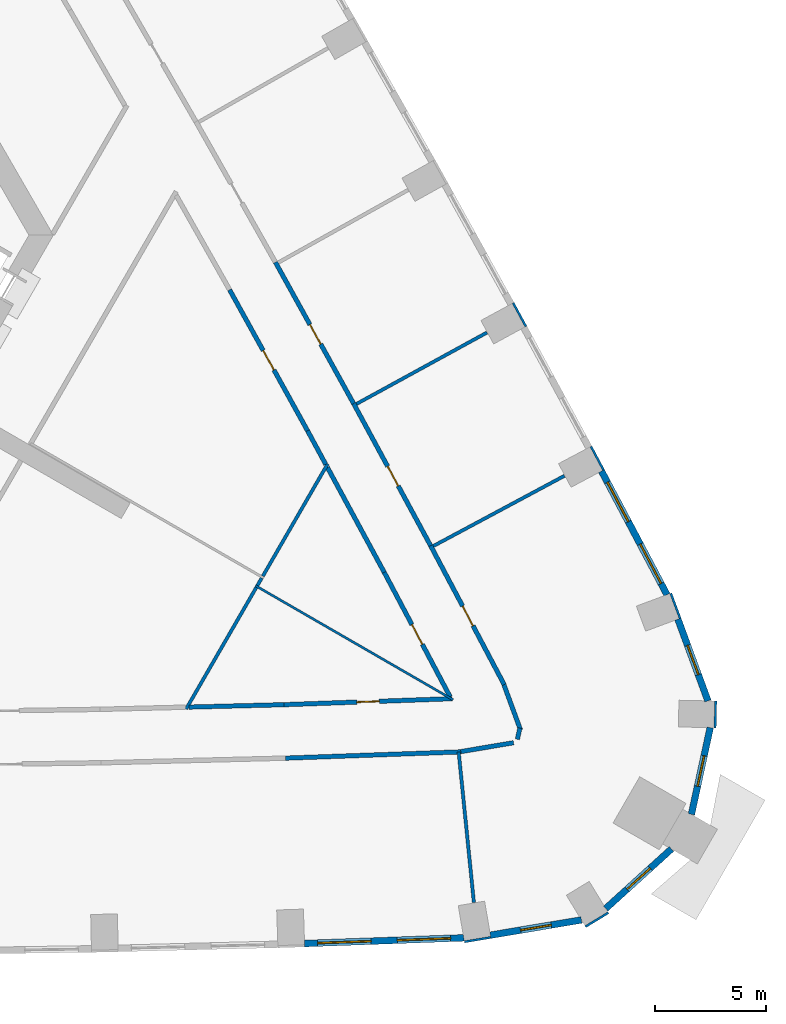
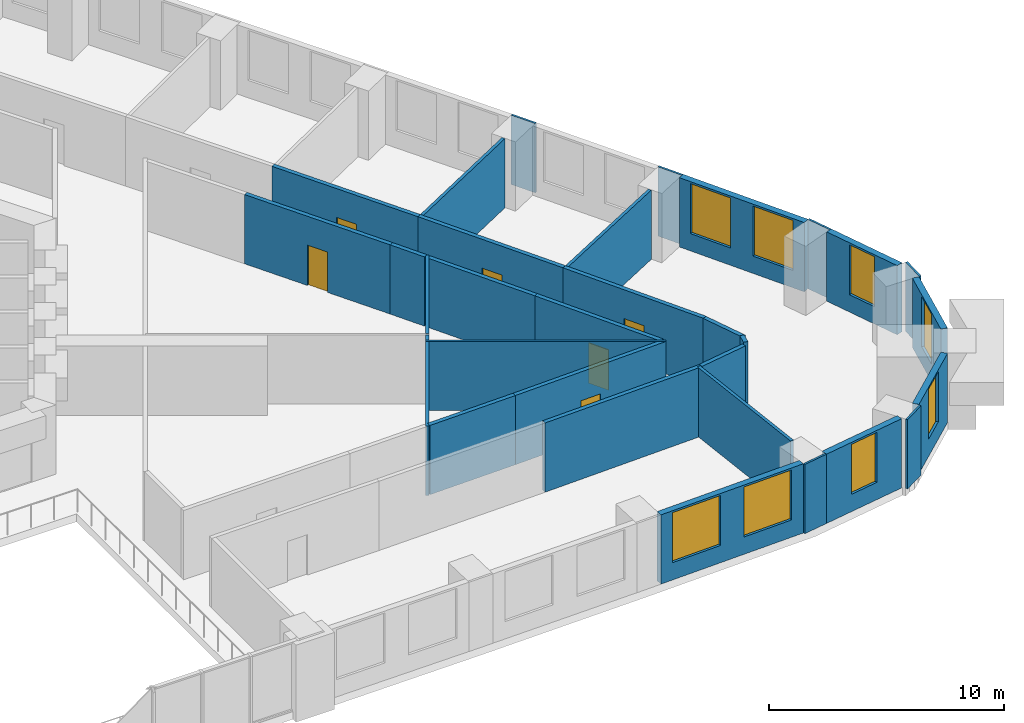
# One storey, part 10 of 15: 32 walls, 8 windows, 6 doors, 14 openings.
"""IFC4 building model written with IfcOpenShell, lengths in metres."""

from ifc_helpers import new_model, si_unit, direction, frame, frame_2d, origin, place, context, subcontext, project, spatial, rectangle, extrude, material, layer, layer_set, type_object, element, fill, save


model = new_model("IFC4")

# Units and contexts
model_context = context("Model", 3, precision=1e-05, world=origin(), true_north=direction((0.0, 1.0)))
body_context = subcontext(model_context, "Body", "Model", "MODEL_VIEW")
ifc_project = project(units=[si_unit("LENGTHUNIT", "METRE"), si_unit("AREAUNIT", "SQUARE_METRE"), si_unit("VOLUMEUNIT", "CUBIC_METRE"), si_unit("PLANEANGLEUNIT", "RADIAN"), si_unit("MASSUNIT", "GRAM", prefix="KILO")], contexts=[model_context])

# Site, building, storey
site_placement = place(None, origin())
site = spatial("IfcSite", under=ifc_project, at=site_placement, CompositionType="ELEMENT")
building_placement = place(site_placement, origin())
building = spatial("IfcBuilding", under=site, at=building_placement, Name="Entoto Arch Interchange Tower", CompositionType="ELEMENT")
storey_placement = place(building_placement, frame((0.0, 0.0, 77.0)))
storey = spatial("IfcBuildingStorey", under=building, at=storey_placement, Name="L16", CompositionType="ELEMENT", Elevation=77.0)

# Walls
ifc_material_1 = material(Name="Gypsum board partition on steel studs", Category="steel")
ifc_layer_1 = layer(ifc_material_1, 0.10009765625)
ifc_layer_set_1 = layer_set([ifc_layer_1], Name="Gypsum board partition on steel studs")
wall_type_1 = type_object("IfcWallType", Name="PARTITION 100", PredefinedType="PARTITIONING", material=ifc_layer_set_1)
wall_1_placement = place(storey_placement, frame((22.928955078125, -13.235107421875, 0.0), z_axis=(0.0, 0.0, 1.0), x_axis=(0.866003823807, -0.500037375755, 0.0)))
element("IfcWall", 1, at=wall_1_placement, inside=storey, type_object=wall_type_1, Name="wall:L16:p131", PredefinedType="PARTITIONING", context=body_context, shape_type="SweptSolid", body=[
    extrude(rectangle(XDim=10.244873046875, YDim=0.10009765625, at=frame_2d((5.12255859375, 0.0))), origin(), (0.0, 0.0, 1.0), 3.60009765625),
])
ifc_layer_2 = layer(ifc_material_1, 0.14990234375)
ifc_layer_set_2 = layer_set([ifc_layer_2], Name="Gypsum board partition on steel studs")
wall_type_2 = type_object("IfcWallType", Name="PARTITION 150", PredefinedType="PARTITIONING", material=ifc_layer_set_2)
wall_2_placement = place(storey_placement, frame((22.968994140625, -13.31591796875, 0.0), z_axis=(0.0, 0.0, 1.0), x_axis=(-0.500007312183, -0.866021182053, 0.0)))
element("IfcWall", 2, at=wall_2_placement, inside=storey, type_object=wall_type_2, Name="wall:L16:p128", PredefinedType="PARTITIONING", context=body_context, shape_type="SweptSolid", body=[
    extrude(rectangle(XDim=6.30615234375, YDim=0.14990234375, at=frame_2d((3.153076171875, 0.0))), origin(), (0.0, 0.0, 1.0), 3.60009765625),
])
wall_3_placement = place(storey_placement, frame((23.2109375, -12.89794921875, 0.0), z_axis=(0.0, 0.0, 1.0), x_axis=(-0.501488909663, -0.865164073159, 0.0)))
element("IfcWall", 3, at=wall_3_placement, inside=storey, type_object=wall_type_2, Name="wall:L16:p129", PredefinedType="PARTITIONING", context=body_context, shape_type="SweptSolid", body=[
    extrude(rectangle(XDim=0.382568359375, YDim=0.14990234375, at=frame_2d((0.19140625, 0.0))), origin(), (0.0, 0.0, 1.0), 3.60009765625),
])
wall_4_placement = place(storey_placement, frame((26.172119140625, -7.76806640625, 0.0), z_axis=(0.0, 0.0, 1.0), x_axis=(-0.499945058274, -0.866057122081, 0.0)))
element("IfcWall", 4, at=wall_4_placement, inside=storey, type_object=wall_type_2, Name="wall:L16:p130", PredefinedType="PARTITIONING", context=body_context, shape_type="SweptSolid", body=[
    extrude(rectangle(XDim=5.822998046875, YDim=0.14990234375, at=frame_2d((2.91162109375, 0.0))), origin(), (0.0, 0.0, 1.0), 3.60009765625),
])
wall_5_placement = place(storey_placement, frame((32.053955078125, -20.701904296875, 0.0), z_axis=(0.0, 0.0, 1.0), x_axis=(0.100681219953, -0.994918736354, 0.0)))
element("IfcWall", 5, at=wall_5_placement, inside=storey, type_object=wall_type_2, Name="wall:L16:p132", PredefinedType="PARTITIONING", context=body_context, shape_type="SweptSolid", body=[
    extrude(rectangle(XDim=6.79443359375, YDim=0.14990234375, at=frame_2d((3.397216796875, 0.0))), origin(), (0.0, 0.0, 1.0), 3.60009765625),
])
wall_6_placement = place(storey_placement, frame((30.916015625, -11.4580078125, 0.0), z_axis=(0.0, 0.0, 1.0), x_axis=(0.881525059883, 0.472137235132, 0.0)))
element("IfcWall", 6, at=wall_6_placement, inside=storey, type_object=wall_type_2, Name="wall:L16:p133", PredefinedType="PARTITIONING", context=body_context, shape_type="SweptSolid", body=[
    extrude(rectangle(XDim=6.680419921875, YDim=0.14990234375, at=frame_2d((3.34033203125, 0.0))), origin(), (0.0, 0.0, 1.0), 3.60009765625),
])
wall_7_placement = place(storey_placement, frame((27.462890625, -5.080078125, 0.0), z_axis=(0.0, 0.0, 1.0), x_axis=(0.877227104806, 0.480075625911, 0.0)))
element("IfcWall", 7, at=wall_7_placement, inside=storey, type_object=wall_type_2, Name="wall:L16:p134", PredefinedType="PARTITIONING", context=body_context, shape_type="SweptSolid", body=[
    extrude(rectangle(XDim=6.68017578125, YDim=0.14990234375, at=frame_2d((3.340087890625, 0.0))), origin(), (0.0, 0.0, 1.0), 3.60009765625),
])
ifc_layer_3 = layer(ifc_material_1, 0.199951171875)
ifc_layer_set_3 = layer_set([ifc_layer_3], Name="Gypsum board partition on steel studs")
wall_type_3 = type_object("IfcWallType", Name="PARTITION 200", PredefinedType="PARTITIONING", material=ifc_layer_set_3)
wall_8_placement = place(storey_placement, frame((26.0859375, -7.7890625, 0.0), z_axis=(0.0, 0.0, 1.0), x_axis=(-0.475856505621, 0.879522930945, 0.0)))
element("IfcWall", 8, at=wall_8_placement, inside=storey, type_object=wall_type_3, Name="wall:L16:p022", PredefinedType="PARTITIONING", context=body_context, shape_type="SweptSolid", body=[
    extrude(rectangle(XDim=1.714599609375, YDim=0.199951171875, at=frame_2d((0.857421875, 0.0))), origin(), (0.0, 0.0, 1.0), 3.60009765625),
])

# Wall, opening, door
wall_9_placement = place(storey_placement, frame((25.27001953125, -6.281005859375, 0.0), z_axis=(0.0, 0.0, 1.0), x_axis=(-0.484062485326, 0.875033433818, 0.0)))
wall_9 = element("IfcWall", 9, at=wall_9_placement, inside=storey, type_object=wall_type_3, Name="wall:L16:p023", PredefinedType="PARTITIONING", context=body_context, shape_type="SweptSolid", body=[
    extrude(rectangle(XDim=7.23046875, YDim=0.199951171875, at=frame_2d((3.615234375, 0.0))), origin(), (0.0, 0.0, 1.0), 3.60009765625),
])
opening_1_placement = place(wall_9_placement, frame((3.114990234375, 0.0, 0.0)))
opening_1 = element("IfcOpeningElement", 10, at=opening_1_placement, cuts=wall_9, Name="Opening L16-D21", PredefinedType="OPENING", context=body_context, shape_type="SweptSolid", body=[
    extrude(rectangle(XDim=1.0, YDim=2.10009765625, at=frame_2d((0.5, 1.050048828125))), frame((0.0, 0.10986328125, 0.0), z_axis=(0.0, -1.0, 0.0), x_axis=(1.0, 0.0, 0.0)), (0.0, 0.0, 1.0), 0.219970703125),
])
ifc_material_2 = material(Name="Timber door leaf in Steel S235 frame", Category="steel")
door_type = type_object("IfcDoorType", Name="DOOR DS-10 1000x2100", OperationType="SINGLE_SWING_LEFT", PredefinedType="DOOR", material=ifc_material_2)
door_1_placement = place(opening_1_placement, origin())
door_1 = element("IfcDoor", 11, at=door_1_placement, inside=storey, type_object=door_type, Name="door:L16:21", OperationType="SINGLE_SWING_RIGHT", OverallHeight=2.10009765625, OverallWidth=1.0, PredefinedType="DOOR", context=body_context, shape_type="SweptSolid", body=[
    extrude(rectangle(XDim=1.0, YDim=2.10009765625, at=frame_2d((0.5, 1.050048828125))), frame((0.0, 0.02490234375, 0.0), z_axis=(0.0, -1.0, 0.0), x_axis=(1.0, 0.0, 0.0)), (0.0, 0.0, 1.0), 0.050048828125),
])
fill(opening_1, door_1)

# Wall
wall_10_placement = place(storey_placement, frame((19.94091796875, -18.68896484375, 0.0), z_axis=(0.0, 0.0, 1.0), x_axis=(0.999680388185, 0.025280852018, 0.0)))
element("IfcWall", 12, at=wall_10_placement, inside=storey, type_object=wall_type_3, Name="wall:L16:p025", PredefinedType="PARTITIONING", context=body_context, shape_type="SweptSolid", body=[
    extrude(rectangle(XDim=4.2685546875, YDim=0.199951171875, at=frame_2d((2.13427734375, 0.0))), origin(), (0.0, 0.0, 1.0), 3.60009765625),
])

# Wall, opening, door
wall_11_placement = place(storey_placement, frame((24.2080078125, -18.5810546875, 0.0), z_axis=(0.0, 0.0, 1.0), x_axis=(0.99936260762, 0.035698438215, 0.0)))
wall_11 = element("IfcWall", 13, at=wall_11_placement, inside=storey, type_object=wall_type_3, Name="wall:L16:p026", PredefinedType="PARTITIONING", context=body_context, shape_type="SweptSolid", body=[
    extrude(rectangle(XDim=7.56396484375, YDim=0.199951171875, at=frame_2d((3.781982421875, 0.0))), origin(), (0.0, 0.0, 1.0), 3.60009765625),
])
opening_2_placement = place(wall_11_placement, frame((3.281982421875, 0.0, 0.0)))
opening_2 = element("IfcOpeningElement", 14, at=opening_2_placement, cuts=wall_11, Name="Opening L16-D22", PredefinedType="OPENING", context=body_context, shape_type="SweptSolid", body=[
    extrude(rectangle(XDim=1.0, YDim=2.10009765625, at=frame_2d((0.5, 1.050048828125))), frame((0.0, 0.10986328125, 0.0), z_axis=(0.0, -1.0, 0.0), x_axis=(1.0, 0.0, 0.0)), (0.0, 0.0, 1.0), 0.219970703125),
])
door_2_placement = place(opening_2_placement, origin())
door_2 = element("IfcDoor", 15, at=door_2_placement, inside=storey, type_object=door_type, Name="door:L16:22", OperationType="SINGLE_SWING_LEFT", OverallHeight=2.10009765625, OverallWidth=1.0, PredefinedType="DOOR", context=body_context, shape_type="SweptSolid", body=[
    extrude(rectangle(XDim=1.0, YDim=2.10009765625, at=frame_2d((0.5, 1.050048828125))), frame((0.0, 0.02490234375, 0.0), z_axis=(0.0, -1.0, 0.0), x_axis=(1.0, 0.0, 0.0)), (0.0, 0.0, 1.0), 0.050048828125),
])
fill(opening_2, door_2)

wall_12_placement = place(storey_placement, frame((31.66796875, -18.218994140625, 0.0), z_axis=(0.0, 0.0, 1.0), x_axis=(-0.468058220157, 0.883697630722, 0.0)))
wall_12 = element("IfcWall", 16, at=wall_12_placement, inside=storey, type_object=wall_type_3, Name="wall:L16:p027", PredefinedType="PARTITIONING", context=body_context, shape_type="SweptSolid", body=[
    extrude(rectangle(XDim=6.315673828125, YDim=0.199951171875, at=frame_2d((3.15771484375, 0.0))), origin(), (0.0, 0.0, 1.0), 3.60009765625),
])
opening_3_placement = place(wall_12_placement, frame((2.657958984375, 0.0, 0.0)))
opening_3 = element("IfcOpeningElement", 17, at=opening_3_placement, cuts=wall_12, Name="Opening L16-D23", PredefinedType="OPENING", context=body_context, shape_type="SweptSolid", body=[
    extrude(rectangle(XDim=1.0, YDim=2.10009765625, at=frame_2d((0.5, 1.050048828125))), frame((0.0, 0.10986328125, 0.0), z_axis=(0.0, -1.0, 0.0), x_axis=(1.0, 0.0, 0.0)), (0.0, 0.0, 1.0), 0.219970703125),
])
door_3_placement = place(opening_3_placement, origin())
door_3 = element("IfcDoor", 18, at=door_3_placement, inside=storey, type_object=door_type, Name="door:L16:23", OperationType="SINGLE_SWING_LEFT", OverallHeight=2.10009765625, OverallWidth=1.0, PredefinedType="DOOR", context=body_context, shape_type="SweptSolid", body=[
    extrude(rectangle(XDim=1.0, YDim=2.10009765625, at=frame_2d((0.5, 1.050048828125))), frame((0.0, 0.02490234375, 0.0), z_axis=(0.0, -1.0, 0.0), x_axis=(1.0, 0.0, 0.0)), (0.0, 0.0, 1.0), 0.050048828125),
])
fill(opening_3, door_3)

# Walls
wall_13_placement = place(storey_placement, frame((28.7119140625, -12.637939453125, 0.0), z_axis=(0.0, 0.0, 1.0), x_axis=(-0.476123321927, 0.8793785205, 0.0)))
element("IfcWall", 19, at=wall_13_placement, inside=storey, type_object=wall_type_3, Name="wall:L16:p028", PredefinedType="PARTITIONING", context=body_context, shape_type="SweptSolid", body=[
    extrude(rectangle(XDim=5.364013671875, YDim=0.199951171875, at=frame_2d((2.68212890625, 0.0))), origin(), (0.0, 0.0, 1.0), 3.60009765625),
])
wall_14_placement = place(storey_placement, frame((32.154052734375, -20.698974609375, 0.0), z_axis=(0.0, 0.0, 1.0), x_axis=(-0.999363643656, -0.035669423029, 0.0)))
element("IfcWall", 20, at=wall_14_placement, inside=storey, type_object=wall_type_3, Name="wall:L16:p038", PredefinedType="PARTITIONING", context=body_context, shape_type="SweptSolid", body=[
    extrude(rectangle(XDim=7.878173828125, YDim=0.199951171875, at=frame_2d((3.93896484375, 0.0))), origin(), (0.0, 0.0, 1.0), 3.60009765625),
])

# Wall, opening, door
wall_15_placement = place(storey_placement, frame((30.79296875, -11.43896484375, 0.0), z_axis=(0.0, 0.0, 1.0), x_axis=(0.468043291185, -0.883705537822, 0.0)))
wall_15 = element("IfcWall", 21, at=wall_15_placement, inside=storey, type_object=wall_type_3, Name="wall:L16:p041", PredefinedType="PARTITIONING", context=body_context, shape_type="SweptSolid", body=[
    extrude(rectangle(XDim=7.06591796875, YDim=0.199951171875, at=frame_2d((3.532958984375, 0.0))), origin(), (0.0, 0.0, 1.0), 3.60009765625),
])
opening_4_placement = place(wall_15_placement, frame((3.071044921875, 0.0, 0.0)))
opening_4 = element("IfcOpeningElement", 22, at=opening_4_placement, cuts=wall_15, Name="Opening L16-D02", PredefinedType="OPENING", context=body_context, shape_type="SweptSolid", body=[
    extrude(rectangle(XDim=1.0, YDim=2.10009765625, at=frame_2d((0.5, 1.050048828125))), frame((0.0, 0.10986328125, 0.0), z_axis=(0.0, -1.0, 0.0), x_axis=(1.0, 0.0, 0.0)), (0.0, 0.0, 1.0), 0.219970703125),
])
door_4_placement = place(opening_4_placement, origin())
door_4 = element("IfcDoor", 23, at=door_4_placement, inside=storey, type_object=door_type, Name="door:L16:02", OperationType="SINGLE_SWING_RIGHT", OverallHeight=2.10009765625, OverallWidth=1.0, PredefinedType="DOOR", context=body_context, shape_type="SweptSolid", body=[
    extrude(rectangle(XDim=1.0, YDim=2.10009765625, at=frame_2d((0.5, 1.050048828125))), frame((0.0, 0.02490234375, 0.0), z_axis=(0.0, -1.0, 0.0), x_axis=(1.0, 0.0, 0.0)), (0.0, 0.0, 1.0), 0.050048828125),
])
fill(opening_4, door_4)

# Walls
wall_16_placement = place(storey_placement, frame((34.087890625, -17.68896484375, 0.0), z_axis=(0.0, 0.0, 1.0), x_axis=(0.34459875492, -0.938750072228, 0.0)))
element("IfcWall", 24, at=wall_16_placement, inside=storey, type_object=wall_type_3, Name="wall:L16:p042", PredefinedType="PARTITIONING", context=body_context, shape_type="SweptSolid", body=[
    extrude(rectangle(XDim=2.16796875, YDim=0.199951171875, at=frame_2d((1.083984375, 0.0))), origin(), (0.0, 0.0, 1.0), 3.60009765625),
])
wall_17_placement = place(storey_placement, frame((34.801025390625, -19.631103515625, 0.0), z_axis=(0.0, 0.0, 1.0), x_axis=(-0.212292845768, -0.977206092713, 0.0)))
element("IfcWall", 25, at=wall_17_placement, inside=storey, type_object=wall_type_3, Name="wall:L16:p043", PredefinedType="PARTITIONING", context=body_context, shape_type="SweptSolid", body=[
    extrude(rectangle(XDim=0.5185546875, YDim=0.199951171875, at=frame_2d((0.25927734375, 0.0))), origin(), (0.0, 0.0, 1.0), 3.60009765625),
])
wall_18_placement = place(storey_placement, frame((34.51806640625, -20.2890625, 0.0), z_axis=(0.0, 0.0, 1.0), x_axis=(-0.986214562432, -0.165471559025, 0.0)))
element("IfcWall", 26, at=wall_18_placement, inside=storey, type_object=wall_type_3, Name="wall:L16:p044", PredefinedType="PARTITIONING", context=body_context, shape_type="SweptSolid", body=[
    extrude(rectangle(XDim=2.39892578125, YDim=0.199951171875, at=frame_2d((1.199462890625, 0.0))), origin(), (0.0, 0.0, 1.0), 3.60009765625),
])

# Wall, opening, door
wall_19_placement = place(storey_placement, frame((27.339111328125, -5.06201171875, 0.0), z_axis=(0.0, 0.0, 1.0), x_axis=(0.476248444599, -0.879310763619, 0.0)))
wall_19 = element("IfcWall", 27, at=wall_19_placement, inside=storey, type_object=wall_type_3, Name="wall:L16:p045", PredefinedType="PARTITIONING", context=body_context, shape_type="SweptSolid", body=[
    extrude(rectangle(XDim=7.252197265625, YDim=0.199951171875, at=frame_2d((3.6259765625, 0.0))), origin(), (0.0, 0.0, 1.0), 3.60009765625),
])
opening_5_placement = place(wall_19_placement, frame((3.200927734375, 0.0, 0.0)))
opening_5 = element("IfcOpeningElement", 28, at=opening_5_placement, cuts=wall_19, Name="Opening L16-D03", PredefinedType="OPENING", context=body_context, shape_type="SweptSolid", body=[
    extrude(rectangle(XDim=1.0, YDim=2.10009765625, at=frame_2d((0.5, 1.050048828125))), frame((0.0, 0.10986328125, 0.0), z_axis=(0.0, -1.0, 0.0), x_axis=(1.0, 0.0, 0.0)), (0.0, 0.0, 1.0), 0.219970703125),
])
door_5_placement = place(opening_5_placement, origin())
door_5 = element("IfcDoor", 29, at=door_5_placement, inside=storey, type_object=door_type, Name="door:L16:03", OperationType="SINGLE_SWING_LEFT", OverallHeight=2.10009765625, OverallWidth=1.0, PredefinedType="DOOR", context=body_context, shape_type="SweptSolid", body=[
    extrude(rectangle(XDim=1.0, YDim=2.10009765625, at=frame_2d((0.5, 1.050048828125))), frame((0.0, 0.02490234375, 0.0), z_axis=(0.0, -1.0, 0.0), x_axis=(1.0, 0.0, 0.0)), (0.0, 0.0, 1.0), 0.050048828125),
])
fill(opening_5, door_5)

wall_20_placement = place(storey_placement, frame((23.827880859375, 1.282958984375, 0.0), z_axis=(0.0, 0.0, 1.0), x_axis=(0.484064127728, -0.875032525251, 0.0)))
wall_20 = element("IfcWall", 30, at=wall_20_placement, inside=storey, type_object=wall_type_3, Name="wall:L16:p046", PredefinedType="PARTITIONING", context=body_context, shape_type="SweptSolid", body=[
    extrude(rectangle(XDim=7.251220703125, YDim=0.199951171875, at=frame_2d((3.62548828125, 0.0))), origin(), (0.0, 0.0, 1.0), 3.60009765625),
])
opening_6_placement = place(wall_20_placement, frame((3.200927734375, 0.0, 0.0)))
opening_6 = element("IfcOpeningElement", 31, at=opening_6_placement, cuts=wall_20, Name="Opening L16-D04", PredefinedType="OPENING", context=body_context, shape_type="SweptSolid", body=[
    extrude(rectangle(XDim=1.0, YDim=2.10009765625, at=frame_2d((0.5, 1.050048828125))), frame((0.0, 0.10986328125, 0.0), z_axis=(0.0, -1.0, 0.0), x_axis=(1.0, 0.0, 0.0)), (0.0, 0.0, 1.0), 0.219970703125),
])
door_6_placement = place(opening_6_placement, origin())
door_6 = element("IfcDoor", 32, at=door_6_placement, inside=storey, type_object=door_type, Name="door:L16:04", OperationType="SINGLE_SWING_LEFT", OverallHeight=2.10009765625, OverallWidth=1.0, PredefinedType="DOOR", context=body_context, shape_type="SweptSolid", body=[
    extrude(rectangle(XDim=1.0, YDim=2.10009765625, at=frame_2d((0.5, 1.050048828125))), frame((0.0, 0.02490234375, 0.0), z_axis=(0.0, -1.0, 0.0), x_axis=(1.0, 0.0, 0.0)), (0.0, 0.0, 1.0), 0.050048828125),
])
fill(opening_6, door_6)

# Wall, openings, windows
ifc_material_3 = material(Name="Welded tuff (ignimbrite) cladding, warm buff", Category="masonry")
ifc_layer_4 = layer(ifc_material_3, 0.300048828125)
ifc_layer_set_4 = layer_set([ifc_layer_4], Name="Welded tuff (ignimbrite) cladding, warm buff")
wall_type_4 = type_object("IfcWallType", Name="STONE INFILL WALL 300", PredefinedType="STANDARD", material=ifc_layer_set_4)
wall_21_placement = place(storey_placement, frame((25.134033203125, -29.304931640625, 0.0), z_axis=(0.0, 0.0, 1.0), x_axis=(0.999359981296, 0.035771885388, 0.0)))
wall_21 = element("IfcWall", 33, at=wall_21_placement, inside=storey, type_object=wall_type_4, Name="Facade wall S-07 L16", PredefinedType="STANDARD", context=body_context, shape_type="SweptSolid", body=[
    extrude(rectangle(XDim=7.152587890625, YDim=0.300048828125, at=frame_2d((3.576171875, 0.0))), origin(), (0.0, 0.0, 1.0), 3.60009765625),
])
opening_7_placement = place(wall_21_placement, frame((0.587890625, 0.0, 0.89990234375)))
opening_7 = element("IfcOpeningElement", 34, at=opening_7_placement, cuts=wall_21, Name="Opening WO-A", PredefinedType="OPENING", context=body_context, shape_type="SweptSolid", body=[
    extrude(rectangle(XDim=2.39990234375, YDim=2.60009765625, at=frame_2d((1.199951171875, 1.300048828125))), frame((0.0, 0.16015625, 0.0), z_axis=(0.0, -1.0, 0.0), x_axis=(1.0, 0.0, 0.0)), (0.0, 0.0, 1.0), 0.320068359375),
])
opening_8_placement = place(wall_21_placement, frame((4.1640625, 0.0, 0.89990234375)))
opening_8 = element("IfcOpeningElement", 35, at=opening_8_placement, cuts=wall_21, Name="Opening WO-A", PredefinedType="OPENING", context=body_context, shape_type="SweptSolid", body=[
    extrude(rectangle(XDim=2.39990234375, YDim=2.60009765625, at=frame_2d((1.199951171875, 1.300048828125))), frame((0.0, 0.16015625, 0.0), z_axis=(0.0, -1.0, 0.0), x_axis=(1.0, 0.0, 0.0)), (0.0, 0.0, 1.0), 0.320068359375),
])
ifc_material_4 = material(Name="Clear glass, low-e double glazed", Category="glass")
window_type_1 = type_object("IfcWindowType", Name="WINDOW WO-A 2400x2600", PartitioningType="DOUBLE_PANEL_VERTICAL", PredefinedType="WINDOW", material=ifc_material_4)
window_1_placement = place(opening_7_placement, origin())
window_1 = element("IfcWindow", 36, at=window_1_placement, inside=storey, type_object=window_type_1, Name="Window WO-A S-07 L16", OverallHeight=2.60009765625, OverallWidth=2.39990234375, PartitioningType="SINGLE_PANEL", PredefinedType="WINDOW", context=body_context, shape_type="SweptSolid", body=[
    extrude(rectangle(XDim=2.39990234375, YDim=2.60009765625, at=frame_2d((1.199951171875, 1.300048828125))), frame((0.0, 0.030029296875, 0.0), z_axis=(0.0, -1.0, 0.0), x_axis=(1.0, 0.0, 0.0)), (0.0, 0.0, 1.0), 0.06005859375),
])
fill(opening_7, window_1)
window_2_placement = place(opening_8_placement, origin())
window_2 = element("IfcWindow", 37, at=window_2_placement, inside=storey, type_object=window_type_1, Name="Window WO-A S-07 L16", OverallHeight=2.60009765625, OverallWidth=2.39990234375, PartitioningType="SINGLE_PANEL", PredefinedType="WINDOW", context=body_context, shape_type="SweptSolid", body=[
    extrude(rectangle(XDim=2.39990234375, YDim=2.60009765625, at=frame_2d((1.199951171875, 1.300048828125))), frame((0.0, 0.030029296875, 0.0), z_axis=(0.0, -1.0, 0.0), x_axis=(1.0, 0.0, 0.0)), (0.0, 0.0, 1.0), 0.06005859375),
])
fill(opening_8, window_2)

# Wall, opening, window
wall_22_placement = place(storey_placement, frame((33.47705078125, -28.929931640625, 0.0), z_axis=(0.0, 0.0, 1.0), x_axis=(0.986295041399, 0.164991185557, 0.0)))
wall_22 = element("IfcWall", 38, at=wall_22_placement, inside=storey, type_object=wall_type_4, Name="Facade wall SE-01 L16", PredefinedType="STANDARD", context=body_context, shape_type="SweptSolid", body=[
    extrude(rectangle(XDim=4.144775390625, YDim=0.300048828125, at=frame_2d((2.072265625, 0.0))), origin(), (0.0, 0.0, 1.0), 3.60009765625),
])
opening_9_placement = place(wall_22_placement, frame((1.3720703125, 0.0, 0.89990234375)))
opening_9 = element("IfcOpeningElement", 39, at=opening_9_placement, cuts=wall_22, Name="Opening WO-B", PredefinedType="OPENING", context=body_context, shape_type="SweptSolid", body=[
    extrude(rectangle(XDim=1.39990234375, YDim=2.60009765625, at=frame_2d((0.699951171875, 1.300048828125))), frame((0.0, 0.16015625, 0.0), z_axis=(0.0, -1.0, 0.0), x_axis=(1.0, 0.0, 0.0)), (0.0, 0.0, 1.0), 0.320068359375),
])
window_type_2 = type_object("IfcWindowType", Name="WINDOW WO-B 1400x2600", PartitioningType="DOUBLE_PANEL_VERTICAL", PredefinedType="WINDOW", material=ifc_material_4)
window_3_placement = place(opening_9_placement, origin())
window_3 = element("IfcWindow", 40, at=window_3_placement, inside=storey, type_object=window_type_2, Name="Window WO-B SE-01 L16", OverallHeight=2.60009765625, OverallWidth=1.39990234375, PartitioningType="SINGLE_PANEL", PredefinedType="WINDOW", context=body_context, shape_type="SweptSolid", body=[
    extrude(rectangle(XDim=1.39990234375, YDim=2.60009765625, at=frame_2d((0.699951171875, 1.300048828125))), frame((0.0, 0.030029296875, 0.0), z_axis=(0.0, -1.0, 0.0), x_axis=(1.0, 0.0, 0.0)), (0.0, 0.0, 1.0), 0.06005859375),
])
fill(opening_9, window_3)

wall_23_placement = place(storey_placement, frame((38.656982421875, -27.736083984375, 0.0), z_axis=(0.0, 0.0, 1.0), x_axis=(0.740547309915, 0.6720042275, 0.0)))
wall_23 = element("IfcWall", 41, at=wall_23_placement, inside=storey, type_object=wall_type_4, Name="Facade wall SE-02 L16", PredefinedType="STANDARD", context=body_context, shape_type="SweptSolid", body=[
    extrude(rectangle(XDim=3.982177734375, YDim=0.300048828125, at=frame_2d((1.9912109375, 0.0))), origin(), (0.0, 0.0, 1.0), 3.60009765625),
])
opening_10_placement = place(wall_23_placement, frame((1.291015625, 0.0, 0.89990234375)))
opening_10 = element("IfcOpeningElement", 42, at=opening_10_placement, cuts=wall_23, Name="Opening WO-B", PredefinedType="OPENING", context=body_context, shape_type="SweptSolid", body=[
    extrude(rectangle(XDim=1.39990234375, YDim=2.60009765625, at=frame_2d((0.699951171875, 1.300048828125))), frame((0.0, 0.16015625, 0.0), z_axis=(0.0, -1.0, 0.0), x_axis=(1.0, 0.0, 0.0)), (0.0, 0.0, 1.0), 0.320068359375),
])
window_4_placement = place(opening_10_placement, origin())
window_4 = element("IfcWindow", 43, at=window_4_placement, inside=storey, type_object=window_type_2, Name="Window WO-B SE-02 L16", OverallHeight=2.60009765625, OverallWidth=1.39990234375, PartitioningType="SINGLE_PANEL", PredefinedType="WINDOW", context=body_context, shape_type="SweptSolid", body=[
    extrude(rectangle(XDim=1.39990234375, YDim=2.60009765625, at=frame_2d((0.699951171875, 1.300048828125))), frame((0.0, 0.030029296875, 0.0), z_axis=(0.0, -1.0, 0.0), x_axis=(1.0, 0.0, 0.0)), (0.0, 0.0, 1.0), 0.06005859375),
])
fill(opening_10, window_4)

wall_24_placement = place(storey_placement, frame((42.506103515625, -23.5029296875, 0.0), z_axis=(0.0, 0.0, 1.0), x_axis=(0.211701618364, 0.977334346466, 0.0)))
wall_24 = element("IfcWall", 44, at=wall_24_placement, inside=storey, type_object=wall_type_4, Name="Facade wall SE-03 L16", PredefinedType="STANDARD", context=body_context, shape_type="SweptSolid", body=[
    extrude(rectangle(XDim=3.982177734375, YDim=0.300048828125, at=frame_2d((1.9912109375, 0.0))), origin(), (0.0, 0.0, 1.0), 3.60009765625),
])
opening_11_placement = place(wall_24_placement, frame((1.291015625, 0.0, 0.89990234375)))
opening_11 = element("IfcOpeningElement", 45, at=opening_11_placement, cuts=wall_24, Name="Opening WO-B", PredefinedType="OPENING", context=body_context, shape_type="SweptSolid", body=[
    extrude(rectangle(XDim=1.39990234375, YDim=2.60009765625, at=frame_2d((0.699951171875, 1.300048828125))), frame((0.0, 0.16015625, 0.0), z_axis=(0.0, -1.0, 0.0), x_axis=(1.0, 0.0, 0.0)), (0.0, 0.0, 1.0), 0.320068359375),
])
window_5_placement = place(opening_11_placement, origin())
window_5 = element("IfcWindow", 46, at=window_5_placement, inside=storey, type_object=window_type_2, Name="Window WO-B SE-03 L16", OverallHeight=2.60009765625, OverallWidth=1.39990234375, PartitioningType="SINGLE_PANEL", PredefinedType="WINDOW", context=body_context, shape_type="SweptSolid", body=[
    extrude(rectangle(XDim=1.39990234375, YDim=2.60009765625, at=frame_2d((0.699951171875, 1.300048828125))), frame((0.0, 0.030029296875, 0.0), z_axis=(0.0, -1.0, 0.0), x_axis=(1.0, 0.0, 0.0)), (0.0, 0.0, 1.0), 0.06005859375),
])
fill(opening_11, window_5)

wall_25_placement = place(storey_placement, frame((43.248046875, -18.409912109375, 0.0), z_axis=(0.0, 0.0, 1.0), x_axis=(-0.344819708397, 0.938668934556, 0.0)))
wall_25 = element("IfcWall", 47, at=wall_25_placement, inside=storey, type_object=wall_type_4, Name="Facade wall SE-04 L16", PredefinedType="STANDARD", context=body_context, shape_type="SweptSolid", body=[
    extrude(rectangle(XDim=3.90966796875, YDim=0.300048828125, at=frame_2d((1.954833984375, 0.0))), origin(), (0.0, 0.0, 1.0), 3.60009765625),
])
opening_12_placement = place(wall_25_placement, frame((1.2548828125, 0.0, 0.89990234375)))
opening_12 = element("IfcOpeningElement", 48, at=opening_12_placement, cuts=wall_25, Name="Opening WO-B", PredefinedType="OPENING", context=body_context, shape_type="SweptSolid", body=[
    extrude(rectangle(XDim=1.39990234375, YDim=2.60009765625, at=frame_2d((0.699951171875, 1.300048828125))), frame((0.0, 0.16015625, 0.0), z_axis=(0.0, -1.0, 0.0), x_axis=(1.0, 0.0, 0.0)), (0.0, 0.0, 1.0), 0.320068359375),
])
window_6_placement = place(opening_12_placement, origin())
window_6 = element("IfcWindow", 49, at=window_6_placement, inside=storey, type_object=window_type_2, Name="Window WO-B SE-04 L16", OverallHeight=2.60009765625, OverallWidth=1.39990234375, PartitioningType="SINGLE_PANEL", PredefinedType="WINDOW", context=body_context, shape_type="SweptSolid", body=[
    extrude(rectangle(XDim=1.39990234375, YDim=2.60009765625, at=frame_2d((0.699951171875, 1.300048828125))), frame((0.0, 0.030029296875, 0.0), z_axis=(0.0, -1.0, 0.0), x_axis=(1.0, 0.0, 0.0)), (0.0, 0.0, 1.0), 0.06005859375),
])
fill(opening_12, window_6)

# Wall, openings, windows
wall_26_placement = place(storey_placement, frame((41.408935546875, -13.64404296875, 0.0), z_axis=(0.0, 0.0, 1.0), x_axis=(-0.467968066899, 0.883745375299, 0.0)))
wall_26 = element("IfcWall", 50, at=wall_26_placement, inside=storey, type_object=wall_type_4, Name="Facade wall NE-01 L16", PredefinedType="STANDARD", context=body_context, shape_type="SweptSolid", body=[
    extrude(rectangle(XDim=6.282470703125, YDim=0.300048828125, at=frame_2d((3.14111328125, 0.0))), origin(), (0.0, 0.0, 1.0), 3.60009765625),
])
opening_13_placement = place(wall_26_placement, frame((0.571044921875, 0.0, 0.89990234375)))
opening_13 = element("IfcOpeningElement", 51, at=opening_13_placement, cuts=wall_26, Name="Opening WO-C", PredefinedType="OPENING", context=body_context, shape_type="SweptSolid", body=[
    extrude(rectangle(XDim=2.0, YDim=2.60009765625, at=frame_2d((1.0, 1.300048828125))), frame((0.0, 0.16015625, 0.0), z_axis=(0.0, -1.0, 0.0), x_axis=(1.0, 0.0, 0.0)), (0.0, 0.0, 1.0), 0.320068359375),
])
opening_14_placement = place(wall_26_placement, frame((3.7119140625, 0.0, 0.89990234375)))
opening_14 = element("IfcOpeningElement", 52, at=opening_14_placement, cuts=wall_26, Name="Opening WO-C", PredefinedType="OPENING", context=body_context, shape_type="SweptSolid", body=[
    extrude(rectangle(XDim=2.0, YDim=2.60009765625, at=frame_2d((1.0, 1.300048828125))), frame((0.0, 0.16015625, 0.0), z_axis=(0.0, -1.0, 0.0), x_axis=(1.0, 0.0, 0.0)), (0.0, 0.0, 1.0), 0.320068359375),
])
window_type_3 = type_object("IfcWindowType", Name="WINDOW WO-C 2000x2600", PartitioningType="DOUBLE_PANEL_VERTICAL", PredefinedType="WINDOW", material=ifc_material_4)
window_7_placement = place(opening_13_placement, origin())
window_7 = element("IfcWindow", 53, at=window_7_placement, inside=storey, type_object=window_type_3, Name="Window WO-C NE-01 L16", OverallHeight=2.60009765625, OverallWidth=2.0, PartitioningType="SINGLE_PANEL", PredefinedType="WINDOW", context=body_context, shape_type="SweptSolid", body=[
    extrude(rectangle(XDim=2.0, YDim=2.60009765625, at=frame_2d((1.0, 1.300048828125))), frame((0.0, 0.030029296875, 0.0), z_axis=(0.0, -1.0, 0.0), x_axis=(1.0, 0.0, 0.0)), (0.0, 0.0, 1.0), 0.06005859375),
])
fill(opening_13, window_7)
window_8_placement = place(opening_14_placement, origin())
window_8 = element("IfcWindow", 54, at=window_8_placement, inside=storey, type_object=window_type_3, Name="Window WO-C NE-01 L16", OverallHeight=2.60009765625, OverallWidth=2.0, PartitioningType="SINGLE_PANEL", PredefinedType="WINDOW", context=body_context, shape_type="SweptSolid", body=[
    extrude(rectangle(XDim=2.0, YDim=2.60009765625, at=frame_2d((1.0, 1.300048828125))), frame((0.0, 0.030029296875, 0.0), z_axis=(0.0, -1.0, 0.0), x_axis=(1.0, 0.0, 0.0)), (0.0, 0.0, 1.0), 0.06005859375),
])
fill(opening_14, window_8)

# Walls
ifc_layer_5 = layer(ifc_material_3, 0.10009765625)
ifc_layer_set_5 = layer_set([ifc_layer_5], Name="Welded tuff (ignimbrite) cladding, warm buff")
wall_type_5 = type_object("IfcWallType", Name="STONE PIER CLADDING 100", PredefinedType="STANDARD", material=ifc_layer_set_5)
wall_27_placement = place(storey_placement, frame((41.99609375, -14.705078125, 0.0), z_axis=(0.0, 0.0, 1.0), x_axis=(-0.348446984414, 0.937328490473, 0.0)))
element("IfcWall", 55, at=wall_27_placement, inside=storey, type_object=wall_type_5, Name="Stone pier NE01 L16", PredefinedType="STANDARD", context=body_context, shape_type="SweptSolid", body=[
    extrude(rectangle(XDim=1.2001953125, YDim=0.10009765625, at=frame_2d((0.60009765625, 0.0))), origin(), (0.0, 0.0, 1.0), 3.60009765625),
])
wall_28_placement = place(storey_placement, frame((38.55810546875, -8.044921875, 0.0), z_axis=(0.0, 0.0, 1.0), x_axis=(-0.469467784567, 0.882949601763, 0.0)))
element("IfcWall", 56, at=wall_28_placement, inside=storey, type_object=wall_type_5, Name="Stone pier NE02 L16", PredefinedType="STANDARD", context=body_context, shape_type="SweptSolid", body=[
    extrude(rectangle(XDim=1.19921875, YDim=0.10009765625, at=frame_2d((0.599609375, 0.0))), origin(), (0.0, 0.0, 1.0), 3.60009765625),
])
wall_29_placement = place(storey_placement, frame((35.073974609375, -1.597900390625, 0.0), z_axis=(0.0, 0.0, 1.0), x_axis=(-0.478267644701, 0.878214131082, 0.0)))
element("IfcWall", 57, at=wall_29_placement, inside=storey, type_object=wall_type_5, Name="Stone pier NE03 L16", PredefinedType="STANDARD", context=body_context, shape_type="SweptSolid", body=[
    extrude(rectangle(XDim=1.2001953125, YDim=0.10009765625, at=frame_2d((0.60009765625, 0.0))), origin(), (0.0, 0.0, 1.0), 3.60009765625),
])
wall_30_placement = place(storey_placement, frame((32.31103515625, -29.22802734375, 0.0), z_axis=(0.0, 0.0, 1.0), x_axis=(0.986011774526, 0.166675674579, 0.0)))
element("IfcWall", 58, at=wall_30_placement, inside=storey, type_object=wall_type_5, Name="Stone pier S08 L16", PredefinedType="STANDARD", context=body_context, shape_type="SweptSolid", body=[
    extrude(rectangle(XDim=1.19970703125, YDim=0.10009765625, at=frame_2d((0.599853515625, 0.0))), origin(), (0.0, 0.0, 1.0), 3.60009765625),
])
for number, where, z_axis, x_axis, name in (
    (59, (37.74609375, -28.5458984375, 0.0), (0.0, 0.0, 1.0), (0.854806852666, 0.518946282996, 0.0), "Stone pier SE1 L16"),
    (60, (43.56689453125, -19.616943359375, 0.0), (0.0, 0.0, 1.0), (0.023391359968, 0.999726384707, 0.0), "Stone pier SE3 L16"),
):
    element("IfcWall", number, at=place(storey_placement, frame(where, z_axis=z_axis, x_axis=x_axis)), inside=storey, type_object=wall_type_5, Name=name, PredefinedType="STANDARD", context=body_context, shape_type="SweptSolid", body=[
        extrude(rectangle(XDim=1.2001953125, YDim=0.10009765625, at=frame_2d((0.60009765625, 0.0))), origin(), (0.0, 0.0, 1.0), 3.60009765625),
    ])

save(model, "model.ifc")
